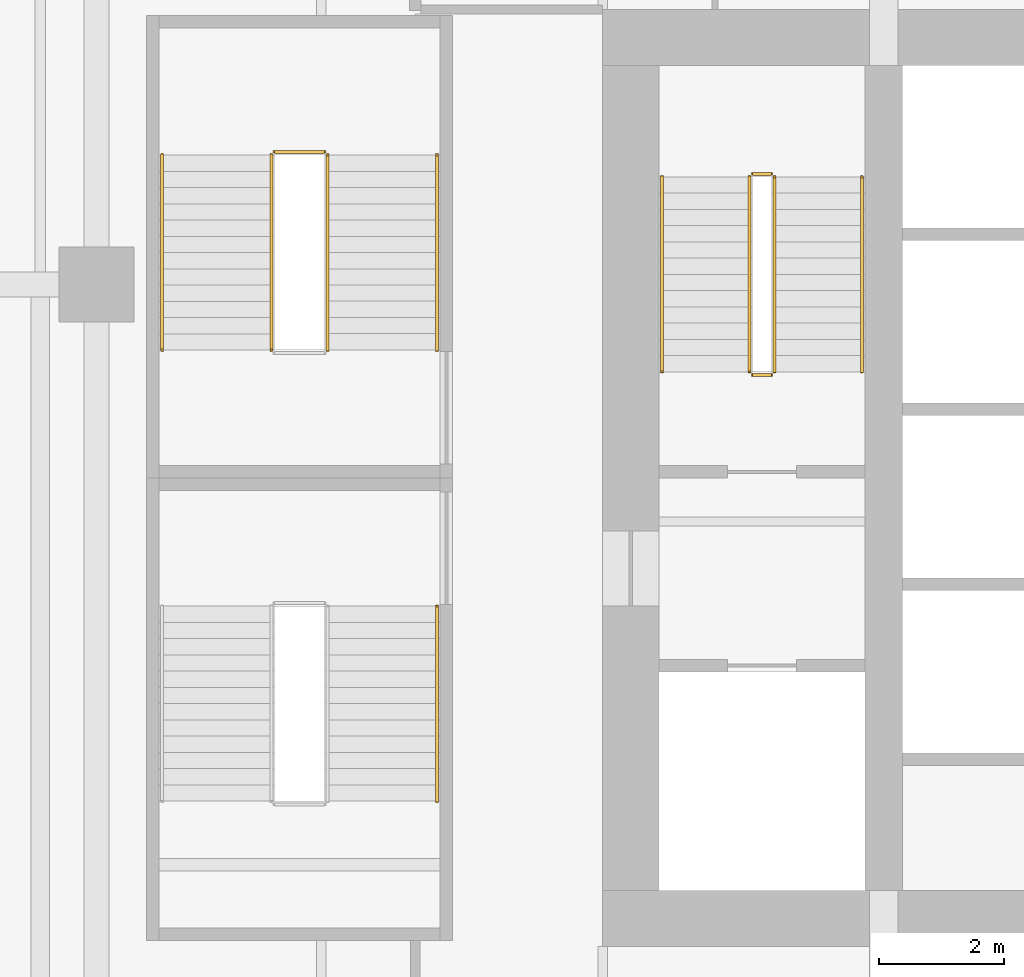
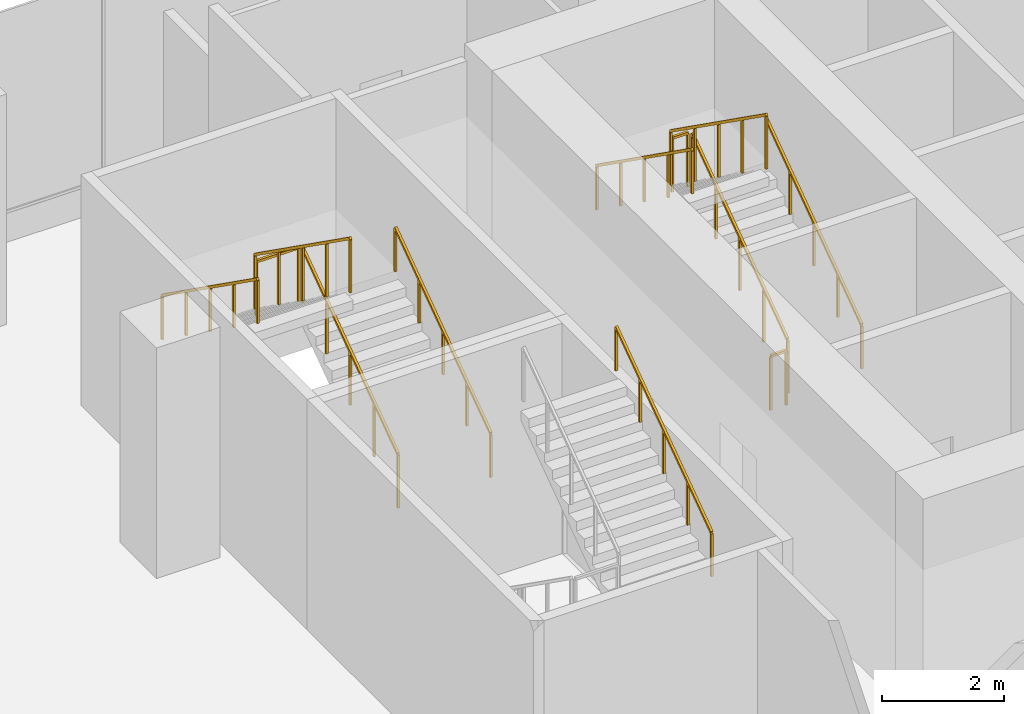
# One storey, part 26 of 29: 12 railings.
"""IFC4 building model written with IfcOpenShell, lengths in metres."""

from ifc_helpers import new_model, si_unit, direction, frame, origin, origin_2d, place, context, subcontext, project, spatial, rectangle, extrude, material, type_object, element, save


model = new_model("IFC4")

# Units and contexts
model_context = context("Model", 3, precision=1e-05, world=origin(), true_north=direction((0.0, 1.0)))
body_context = subcontext(model_context, "Body", "Model", "MODEL_VIEW")
ifc_project = project(units=[si_unit("LENGTHUNIT", "METRE"), si_unit("AREAUNIT", "SQUARE_METRE"), si_unit("VOLUMEUNIT", "CUBIC_METRE"), si_unit("PLANEANGLEUNIT", "RADIAN"), si_unit("MASSUNIT", "GRAM", prefix="KILO")], contexts=[model_context])

# Site, building, storey
site_placement = place(None, origin())
site = spatial("IfcSite", under=ifc_project, at=site_placement, CompositionType="ELEMENT")
building_placement = place(site_placement, origin())
building = spatial("IfcBuilding", under=site, at=building_placement, Name="Rattan Terrace Tower", CompositionType="ELEMENT")
storey_placement = place(building_placement, frame((0.0, 0.0, 12.60009765625)))
storey = spatial("IfcBuildingStorey", under=building, at=storey_placement, Name="L02", CompositionType="ELEMENT", Elevation=12.60009765625)

# Railings
ifc_material_1 = material(Name="Powder-coated steel guard", Category="steel")
railing_type_1 = type_object("IfcRailingType", Name="Core stair guard", PredefinedType="GUARDRAIL", material=ifc_material_1)
railing_1_placement = place(storey_placement, frame((-15.25, 1.699951171875, 0.1845703125)))
element("IfcRailing", 1, at=railing_1_placement, inside=storey, type_object=railing_type_1, Name="L02 S1 stair guard 1", PredefinedType="GUARDRAIL", context=body_context, shape_type="SweptSolid", body=[
    extrude(rectangle(XDim=0.048095703125, YDim=0.048095703125, at=origin_2d()), frame((0.0, 0.0, 1.076171875), z_axis=(0.0, 0.815376961211, 0.578930402662), x_axis=(-1.0, 0.0, 0.0)), (0.0, 0.0, 1.0), 3.82666015625),
    extrude(rectangle(XDim=0.0419921875, YDim=0.0419921875, at=origin_2d()), origin(), (0.0, 0.0, 1.0), 1.052001953125),
    extrude(rectangle(XDim=0.0419921875, YDim=0.0419921875, at=origin_2d()), frame((0.0, 0.780029296875, 0.5537109375)), (0.0, 0.0, 1.0), 1.052001953125),
    extrude(rectangle(XDim=0.0419921875, YDim=0.0419921875, at=origin_2d()), frame((0.0, 1.56005859375, 1.107666015625)), (0.0, 0.0, 1.0), 1.052001953125),
    extrude(rectangle(XDim=0.0419921875, YDim=0.0419921875, at=origin_2d()), frame((0.0, 2.340087890625, 1.66162109375)), (0.0, 0.0, 1.0), 1.052001953125),
    extrude(rectangle(XDim=0.0419921875, YDim=0.0419921875, at=origin_2d()), frame((0.0, 3.1201171875, 2.21533203125)), (0.0, 0.0, 1.0), 1.052001953125),
])
railing_2_placement = place(storey_placement, frame((-15.300048828125, 4.8701171875, 2.39990234375)))
element("IfcRailing", 2, at=railing_2_placement, inside=storey, type_object=railing_type_1, Name="L02 S1 stair guard 2", PredefinedType="GUARDRAIL", context=body_context, shape_type="SweptSolid", body=[
    extrude(rectangle(XDim=0.048095703125, YDim=0.048095703125, at=origin_2d()), frame((0.0, 0.0, 1.076171875), z_axis=(-1.0, 0.0, 0.0), x_axis=(0.0, -1.0, 0.0)), (0.0, 0.0, 1.0), 0.300048828125),
    extrude(rectangle(XDim=0.0419921875, YDim=0.0419921875, at=origin_2d()), origin(), (0.0, 0.0, 1.0), 1.052001953125),
    extrude(rectangle(XDim=0.0419921875, YDim=0.0419921875, at=origin_2d()), frame((-0.300048828125, 0.0, 0.0)), (0.0, 0.0, 1.0), 1.052001953125),
])
railing_3_placement = place(storey_placement, frame((-15.64990234375, 4.820068359375, 2.58447265625)))
element("IfcRailing", 3, at=railing_3_placement, inside=storey, type_object=railing_type_1, Name="L02 S1 stair guard 3", PredefinedType="GUARDRAIL", context=body_context, shape_type="SweptSolid", body=[
    extrude(rectangle(XDim=0.048095703125, YDim=0.048095703125, at=origin_2d()), frame((0.0, 0.0, 1.076171875), z_axis=(0.0, -0.815376961211, 0.578930402662), x_axis=(1.0, 0.0, 0.0)), (0.0, 0.0, 1.0), 3.82666015625),
    extrude(rectangle(XDim=0.0419921875, YDim=0.0419921875, at=origin_2d()), origin(), (0.0, 0.0, 1.0), 1.052001953125),
    extrude(rectangle(XDim=0.0419921875, YDim=0.0419921875, at=origin_2d()), frame((0.0, -0.780029296875, 0.5537109375)), (0.0, 0.0, 1.0), 1.052001953125),
    extrude(rectangle(XDim=0.0419921875, YDim=0.0419921875, at=origin_2d()), frame((0.0, -1.56005859375, 1.107666015625)), (0.0, 0.0, 1.0), 1.052001953125),
    extrude(rectangle(XDim=0.0419921875, YDim=0.0419921875, at=origin_2d()), frame((0.0, -2.340087890625, 1.66162109375)), (0.0, 0.0, 1.0), 1.052001953125),
    extrude(rectangle(XDim=0.0419921875, YDim=0.0419921875, at=origin_2d()), frame((0.0, -3.1201171875, 2.21533203125)), (0.0, 0.0, 1.0), 1.052001953125),
])
railing_4_placement = place(storey_placement, frame((-15.300048828125, 1.64990234375, 0.0)))
element("IfcRailing", 4, at=railing_4_placement, inside=storey, type_object=railing_type_1, Name="L02 S1 stair guard 4", PredefinedType="GUARDRAIL", context=body_context, shape_type="SweptSolid", body=[
    extrude(rectangle(XDim=0.048095703125, YDim=0.048095703125, at=origin_2d()), frame((0.0, 0.0, 1.076171875), z_axis=(-1.0, 0.0, 0.0), x_axis=(0.0, -1.0, 0.0)), (0.0, 0.0, 1.0), 0.300048828125),
    extrude(rectangle(XDim=0.0419921875, YDim=0.0419921875, at=origin_2d()), origin(), (0.0, 0.0, 1.0), 1.052001953125),
    extrude(rectangle(XDim=0.0419921875, YDim=0.0419921875, at=origin_2d()), frame((-0.300048828125, 0.0, 0.0)), (0.0, 0.0, 1.0), 1.052001953125),
])
railing_5_placement = place(storey_placement, frame((-22.39990234375, 2.050048828125, 0.1845703125)))
element("IfcRailing", 5, at=railing_5_placement, inside=storey, type_object=railing_type_1, Name="L02 S5 stair guard 1", PredefinedType="GUARDRAIL", context=body_context, shape_type="SweptSolid", body=[
    extrude(rectangle(XDim=0.048095703125, YDim=0.048095703125, at=origin_2d()), frame((0.0, 0.0, 1.076171875), z_axis=(0.0, 0.815355575968, 0.57896052088), x_axis=(-1.0, 0.0, 0.0)), (0.0, 0.0, 1.0), 3.826416015625),
    extrude(rectangle(XDim=0.0419921875, YDim=0.0419921875, at=origin_2d()), origin(), (0.0, 0.0, 1.0), 1.052001953125),
    extrude(rectangle(XDim=0.0419921875, YDim=0.0419921875, at=origin_2d()), frame((0.0, 0.780029296875, 0.5537109375)), (0.0, 0.0, 1.0), 1.052001953125),
    extrude(rectangle(XDim=0.0419921875, YDim=0.0419921875, at=origin_2d()), frame((0.0, 1.56005859375, 1.107666015625)), (0.0, 0.0, 1.0), 1.052001953125),
    extrude(rectangle(XDim=0.0419921875, YDim=0.0419921875, at=origin_2d()), frame((0.0, 2.33984375, 1.66162109375)), (0.0, 0.0, 1.0), 1.052001953125),
    extrude(rectangle(XDim=0.0419921875, YDim=0.0419921875, at=origin_2d()), frame((0.0, 3.119873046875, 2.21533203125)), (0.0, 0.0, 1.0), 1.052001953125),
])
railing_6_placement = place(storey_placement, frame((-22.449951171875, 5.219970703125, 2.39990234375)))
element("IfcRailing", 6, at=railing_6_placement, inside=storey, type_object=railing_type_1, Name="L02 S5 stair guard 2", PredefinedType="GUARDRAIL", context=body_context, shape_type="SweptSolid", body=[
    extrude(rectangle(XDim=0.048095703125, YDim=0.048095703125, at=origin_2d()), frame((0.0, 0.0, 1.076171875), z_axis=(-1.0, 0.0, 0.0), x_axis=(0.0, -1.0, 0.0)), (0.0, 0.0, 1.0), 0.800048828125),
    extrude(rectangle(XDim=0.0419921875, YDim=0.0419921875, at=origin_2d()), origin(), (0.0, 0.0, 1.0), 1.052001953125),
    extrude(rectangle(XDim=0.0419921875, YDim=0.0419921875, at=origin_2d()), frame((-0.800048828125, 0.0, 0.0)), (0.0, 0.0, 1.0), 1.052001953125),
])
railing_7_placement = place(storey_placement, frame((-23.300048828125, 5.169921875, 2.58447265625)))
element("IfcRailing", 7, at=railing_7_placement, inside=storey, type_object=railing_type_1, Name="L02 S5 stair guard 3", PredefinedType="GUARDRAIL", context=body_context, shape_type="SweptSolid", body=[
    extrude(rectangle(XDim=0.048095703125, YDim=0.048095703125, at=origin_2d()), frame((0.0, 0.0, 1.076171875), z_axis=(0.0, -0.815355575968, 0.57896052088), x_axis=(1.0, 0.0, 0.0)), (0.0, 0.0, 1.0), 3.826416015625),
    extrude(rectangle(XDim=0.0419921875, YDim=0.0419921875, at=origin_2d()), origin(), (0.0, 0.0, 1.0), 1.052001953125),
    extrude(rectangle(XDim=0.0419921875, YDim=0.0419921875, at=origin_2d()), frame((0.0, -0.780029296875, 0.5537109375)), (0.0, 0.0, 1.0), 1.052001953125),
    extrude(rectangle(XDim=0.0419921875, YDim=0.0419921875, at=origin_2d()), frame((0.0, -1.56005859375, 1.107666015625)), (0.0, 0.0, 1.0), 1.052001953125),
    extrude(rectangle(XDim=0.0419921875, YDim=0.0419921875, at=origin_2d()), frame((0.0, -2.33984375, 1.66162109375)), (0.0, 0.0, 1.0), 1.052001953125),
    extrude(rectangle(XDim=0.0419921875, YDim=0.0419921875, at=origin_2d()), frame((0.0, -3.119873046875, 2.21533203125)), (0.0, 0.0, 1.0), 1.052001953125),
])
ifc_material_2 = material(Name="Powder-coated steel handrail", Category="steel")
railing_type_2 = type_object("IfcRailingType", Name="Core stair handrail", PredefinedType="HANDRAIL", material=ifc_material_2)
railing_8_placement = place(storey_placement, frame((-13.85009765625, 1.699951171875, 0.1845703125)))
element("IfcRailing", 8, at=railing_8_placement, inside=storey, type_object=railing_type_2, Name="L02 S1 stair handrail 1", PredefinedType="HANDRAIL", context=body_context, shape_type="SweptSolid", body=[
    extrude(rectangle(XDim=0.048095703125, YDim=0.048095703125, at=origin_2d()), frame((0.0, 0.0, 0.8759765625), z_axis=(0.0, 0.815376961211, 0.578930402662), x_axis=(-1.0, 0.0, 0.0)), (0.0, 0.0, 1.0), 3.82666015625),
    extrude(rectangle(XDim=0.0419921875, YDim=0.0419921875, at=origin_2d()), origin(), (0.0, 0.0, 1.0), 0.851806640625),
    extrude(rectangle(XDim=0.0419921875, YDim=0.0419921875, at=origin_2d()), frame((0.0, 0.780029296875, 0.5537109375)), (0.0, 0.0, 1.0), 0.851806640625),
    extrude(rectangle(XDim=0.0419921875, YDim=0.0419921875, at=origin_2d()), frame((0.0, 1.56005859375, 1.107666015625)), (0.0, 0.0, 1.0), 0.851806640625),
    extrude(rectangle(XDim=0.0419921875, YDim=0.0419921875, at=origin_2d()), frame((0.0, 2.340087890625, 1.66162109375)), (0.0, 0.0, 1.0), 0.851806640625),
    extrude(rectangle(XDim=0.0419921875, YDim=0.0419921875, at=origin_2d()), frame((0.0, 3.1201171875, 2.21533203125)), (0.0, 0.0, 1.0), 0.851806640625),
])
railing_9_placement = place(storey_placement, frame((-17.050048828125, 4.820068359375, 2.58447265625)))
element("IfcRailing", 9, at=railing_9_placement, inside=storey, type_object=railing_type_2, Name="L02 S1 stair handrail 2", PredefinedType="HANDRAIL", context=body_context, shape_type="SweptSolid", body=[
    extrude(rectangle(XDim=0.048095703125, YDim=0.048095703125, at=origin_2d()), frame((0.0, 0.0, 0.8759765625), z_axis=(0.0, -0.815376961211, 0.578930402662), x_axis=(1.0, 0.0, 0.0)), (0.0, 0.0, 1.0), 3.82666015625),
    extrude(rectangle(XDim=0.0419921875, YDim=0.0419921875, at=origin_2d()), origin(), (0.0, 0.0, 1.0), 0.851806640625),
    extrude(rectangle(XDim=0.0419921875, YDim=0.0419921875, at=origin_2d()), frame((0.0, -0.780029296875, 0.5537109375)), (0.0, 0.0, 1.0), 0.851806640625),
    extrude(rectangle(XDim=0.0419921875, YDim=0.0419921875, at=origin_2d()), frame((0.0, -1.56005859375, 1.107666015625)), (0.0, 0.0, 1.0), 0.851806640625),
    extrude(rectangle(XDim=0.0419921875, YDim=0.0419921875, at=origin_2d()), frame((0.0, -2.340087890625, 1.66162109375)), (0.0, 0.0, 1.0), 0.851806640625),
    extrude(rectangle(XDim=0.0419921875, YDim=0.0419921875, at=origin_2d()), frame((0.0, -3.1201171875, 2.21533203125)), (0.0, 0.0, 1.0), 0.851806640625),
])
for number, where, name in (
    (10, (-20.64990234375, -5.169921875, 2.58447265625), "L02 S4 stair handrail 2"),
    (11, (-20.64990234375, 2.050048828125, 0.1845703125), "L02 S5 stair handrail 1"),
):
    element("IfcRailing", number, at=place(storey_placement, frame(where)), inside=storey, type_object=railing_type_2, Name=name, PredefinedType="HANDRAIL", context=body_context, shape_type="SweptSolid", body=[
        extrude(rectangle(XDim=0.048095703125, YDim=0.048095703125, at=origin_2d()), frame((0.0, 0.0, 0.8759765625), z_axis=(0.0, 0.815355575968, 0.57896052088), x_axis=(-1.0, 0.0, 0.0)), (0.0, 0.0, 1.0), 3.826416015625),
        extrude(rectangle(XDim=0.0419921875, YDim=0.0419921875, at=origin_2d()), origin(), (0.0, 0.0, 1.0), 0.851806640625),
        extrude(rectangle(XDim=0.0419921875, YDim=0.0419921875, at=origin_2d()), frame((0.0, 0.780029296875, 0.5537109375)), (0.0, 0.0, 1.0), 0.851806640625),
        extrude(rectangle(XDim=0.0419921875, YDim=0.0419921875, at=origin_2d()), frame((0.0, 1.56005859375, 1.107666015625)), (0.0, 0.0, 1.0), 0.851806640625),
        extrude(rectangle(XDim=0.0419921875, YDim=0.0419921875, at=origin_2d()), frame((0.0, 2.33984375, 1.66162109375)), (0.0, 0.0, 1.0), 0.851806640625),
        extrude(rectangle(XDim=0.0419921875, YDim=0.0419921875, at=origin_2d()), frame((0.0, 3.119873046875, 2.21533203125)), (0.0, 0.0, 1.0), 0.851806640625),
    ])
railing_10_placement = place(storey_placement, frame((-25.050048828125, 5.169921875, 2.58447265625)))
element("IfcRailing", 12, at=railing_10_placement, inside=storey, type_object=railing_type_2, Name="L02 S5 stair handrail 2", PredefinedType="HANDRAIL", context=body_context, shape_type="SweptSolid", body=[
    extrude(rectangle(XDim=0.048095703125, YDim=0.048095703125, at=origin_2d()), frame((0.0, 0.0, 0.8759765625), z_axis=(0.0, -0.815355575968, 0.57896052088), x_axis=(1.0, 0.0, 0.0)), (0.0, 0.0, 1.0), 3.826416015625),
    extrude(rectangle(XDim=0.0419921875, YDim=0.0419921875, at=origin_2d()), origin(), (0.0, 0.0, 1.0), 0.851806640625),
    extrude(rectangle(XDim=0.0419921875, YDim=0.0419921875, at=origin_2d()), frame((0.0, -0.780029296875, 0.5537109375)), (0.0, 0.0, 1.0), 0.851806640625),
    extrude(rectangle(XDim=0.0419921875, YDim=0.0419921875, at=origin_2d()), frame((0.0, -1.56005859375, 1.107666015625)), (0.0, 0.0, 1.0), 0.851806640625),
    extrude(rectangle(XDim=0.0419921875, YDim=0.0419921875, at=origin_2d()), frame((0.0, -2.33984375, 1.66162109375)), (0.0, 0.0, 1.0), 0.851806640625),
    extrude(rectangle(XDim=0.0419921875, YDim=0.0419921875, at=origin_2d()), frame((0.0, -3.119873046875, 2.21533203125)), (0.0, 0.0, 1.0), 0.851806640625),
])

save(model, "model.ifc")
